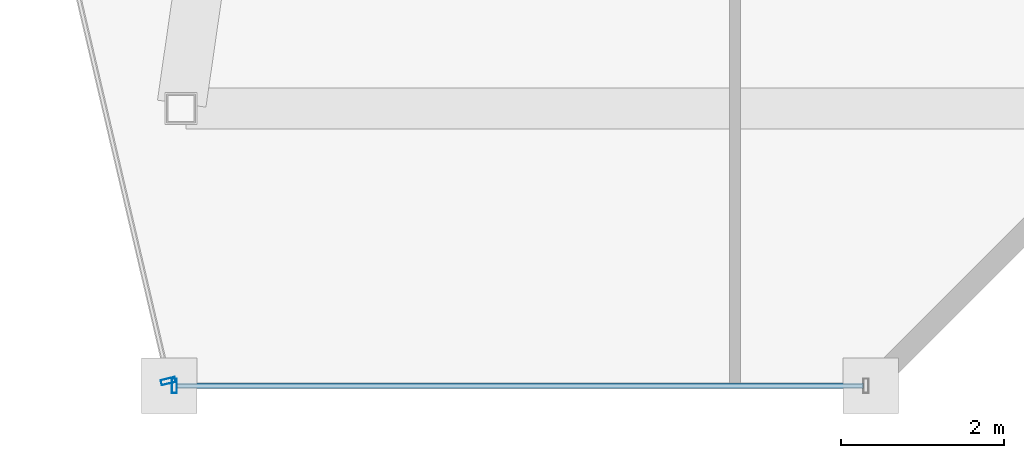
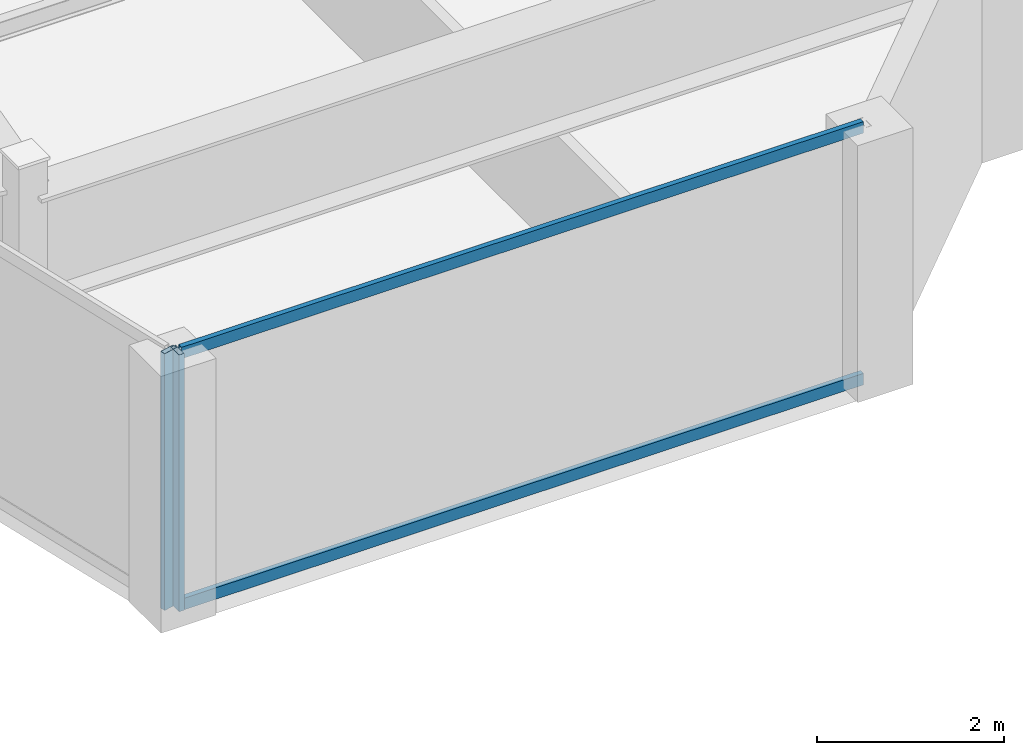
# One storey, part 10 of 30: 4 members, 2 elements without a shape of their own.
"""IFC4 building model written with IfcOpenShell, lengths in metres."""

from ifc_helpers import new_model, si_unit, direction, frame, origin, origin_2d, place, context, subcontext, project, spatial, hollow_rectangle, extrude, material, material_profile, profile_set, type_object, element, aggregate, save


model = new_model("IFC4")

# Units and contexts
model_context = context("Model", 3, precision=1e-05, world=origin(), true_north=direction((0.0, 1.0)))
body_context = subcontext(model_context, "Body", "Model", "MODEL_VIEW")
ifc_project = project(units=[si_unit("LENGTHUNIT", "METRE"), si_unit("AREAUNIT", "SQUARE_METRE"), si_unit("VOLUMEUNIT", "CUBIC_METRE"), si_unit("PLANEANGLEUNIT", "RADIAN"), si_unit("MASSUNIT", "GRAM", prefix="KILO")], contexts=[model_context])

# Site, building, storey
site_placement = place(None, origin())
site = spatial("IfcSite", under=ifc_project, at=site_placement, CompositionType="ELEMENT")
building_placement = place(site_placement, origin())
building = spatial("IfcBuilding", under=site, at=building_placement, Name="Saevonmaru Cultural Tower", CompositionType="ELEMENT")
storey_placement = place(building_placement, frame((0.0, 0.0, 272.39990234375)))
storey = spatial("IfcBuildingStorey", under=building, at=storey_placement, Name="L64", CompositionType="ELEMENT", Elevation=272.39990234375)

# Curtain wall, member
ifc_material = material(Name="Satin Bronze Anodised Aluminium", Category="aluminium")
curtain_wall_type = type_object("IfcCurtainWallType", Name="CW-TYP-B", PredefinedType="NOTDEFINED", material=ifc_material)
curtain_wall_1_placement = place(storey_placement, origin())
curtain_wall_1 = element("IfcCurtainWall", 1, at=curtain_wall_1_placement, inside=storey, type_object=curtain_wall_type, Name="L64 Unitised Curtain Wall E5", PredefinedType="NOTDEFINED")
ifc_material_profile_1 = material_profile(ifc_material, hollow_rectangle(XDim=0.06494140625, YDim=0.179931640625, WallThickness=0.00390625, at=origin_2d()), Name="ALU-MULL-180x65x4")
ifc_profile_set_1 = profile_set([ifc_material_profile_1], Name="Satin Bronze Anodised Aluminium")
member_type_1 = type_object("IfcMemberType", Name="ML-CW-180x65", PredefinedType="MULLION", material=ifc_profile_set_1)
member_1_placement = place(storey_placement, frame((39.390625, 22.8583984375, 0.0), z_axis=(0.0, 0.0, 1.0), x_axis=(0.228189509449, -0.973616735568, 0.0)))
member_1 = element("IfcMember", 2, at=member_1_placement, type_object=member_type_1, Name="CW-TW-L64-E5 mullion 2", PredefinedType="MULLION", context=body_context, shape_type="SweptSolid", body=[
    extrude(hollow_rectangle(XDim=0.06494140625, YDim=0.179931640625, WallThickness=0.00390625, at=origin_2d()), origin(), (0.0, 0.0, 1.0), 3.35009765625),
])
aggregate(curtain_wall_1, [member_1])

# Curtain wall, members
curtain_wall_2_placement = place(storey_placement, origin())
curtain_wall_2 = element("IfcCurtainWall", 3, at=curtain_wall_2_placement, inside=storey, type_object=curtain_wall_type, Name="L64 Unitised Curtain Wall E6", PredefinedType="NOTDEFINED")
member_2_placement = place(storey_placement, frame((39.46435546875, 22.800048828125, 0.0), z_axis=(0.0, 0.0, 1.0), x_axis=(1.0, 0.0, 0.0)))
member_2 = element("IfcMember", 4, at=member_2_placement, type_object=member_type_1, Name="CW-TW-L64-E6 mullion 1", PredefinedType="MULLION", context=body_context, shape_type="SweptSolid", body=[
    extrude(hollow_rectangle(XDim=0.06494140625, YDim=0.179931640625, WallThickness=0.00390625, at=origin_2d()), origin(), (0.0, 0.0, 1.0), 3.35009765625),
])
ifc_material_profile_2 = material_profile(ifc_material, hollow_rectangle(XDim=0.06494140625, YDim=0.14990234375, WallThickness=0.00390625, at=origin_2d()), Name="ALU-TRAN-150x65x4")
ifc_profile_set_2 = profile_set([ifc_material_profile_2], Name="Satin Bronze Anodised Aluminium")
member_type_2 = type_object("IfcMemberType", Name="TR-CW-150x65", PredefinedType="USERDEFINED", material=ifc_profile_set_2)
member_3_placement = place(storey_placement, frame((39.496826171875, 22.800048828125, 0.03271484375), z_axis=(1.0, 0.0, 0.0), x_axis=(0.0, 1.0, 0.0)))
member_3 = element("IfcMember", 5, at=member_3_placement, type_object=member_type_2, Name="CW-TW-L64-E6 transom 1.1", ObjectType="TRANSOM", PredefinedType="USERDEFINED", context=body_context, shape_type="SweptSolid", body=[
    extrude(hollow_rectangle(XDim=0.06494140625, YDim=0.14990234375, WallThickness=0.00390625, at=origin_2d()), origin(), (0.0, 0.0, 1.0), 8.4150390625),
])
member_4_placement = place(storey_placement, frame((39.496826171875, 22.800048828125, 3.317626953125), z_axis=(1.0, 0.0, 0.0), x_axis=(0.0, 1.0, 0.0)))
member_4 = element("IfcMember", 6, at=member_4_placement, type_object=member_type_2, Name="CW-TW-L64-E6 transom 1.2", ObjectType="TRANSOM", PredefinedType="USERDEFINED", context=body_context, shape_type="SweptSolid", body=[
    extrude(hollow_rectangle(XDim=0.06494140625, YDim=0.14990234375, WallThickness=0.00390625, at=origin_2d()), origin(), (0.0, 0.0, 1.0), 8.4150390625),
])
aggregate(curtain_wall_2, [member_2, member_3, member_4])

save(model, "model.ifc")
